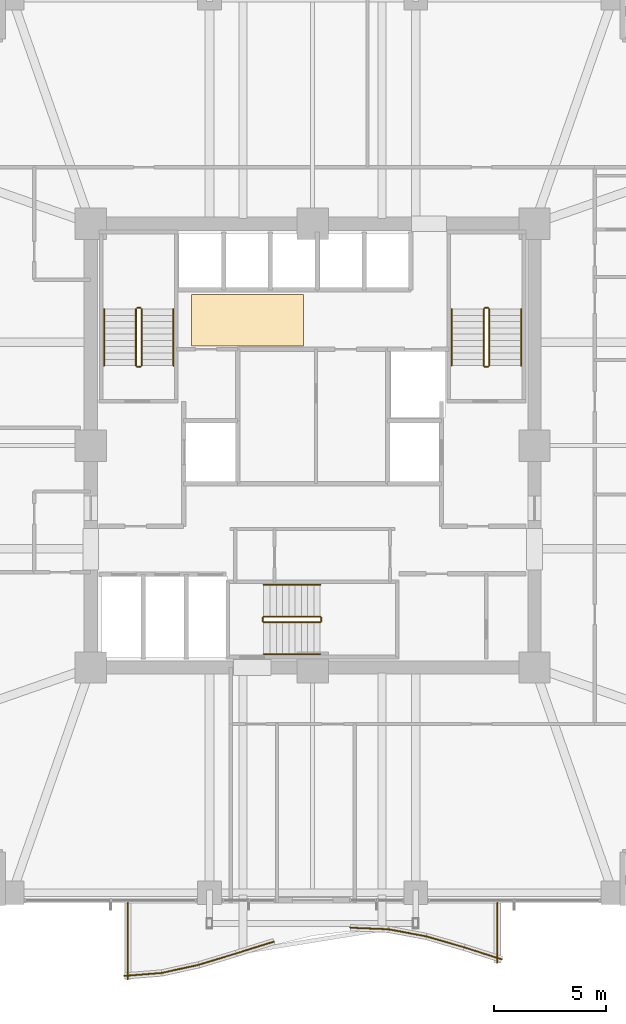
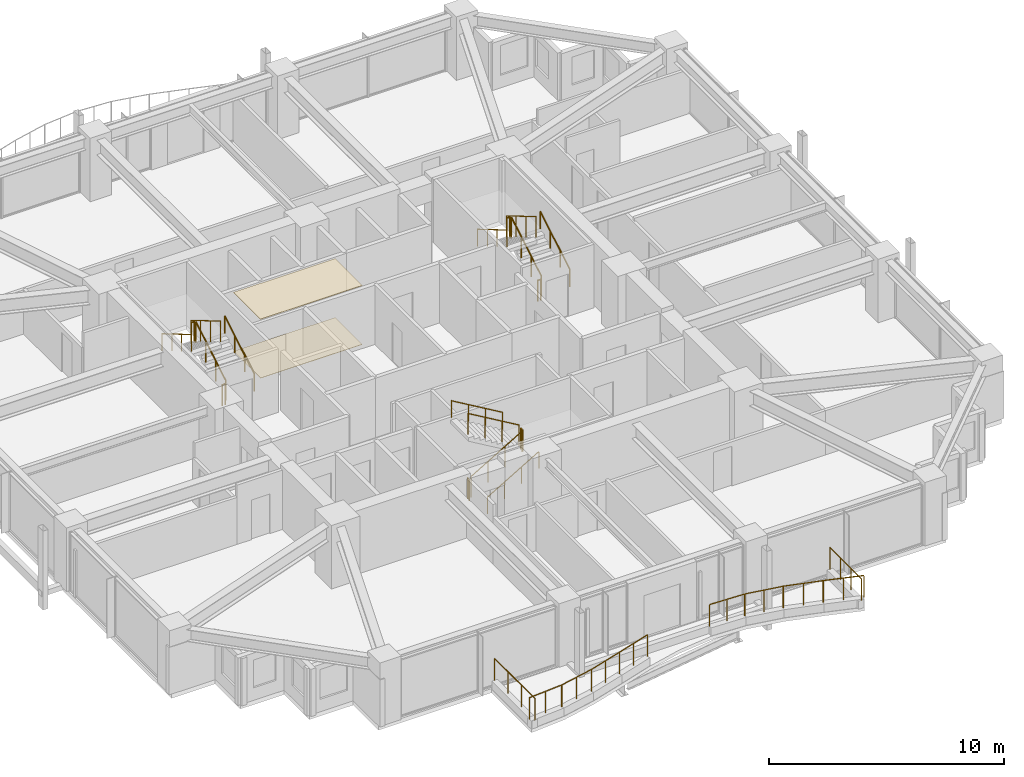
# One storey, part 37 of 38: 28 railings, 2 coverings.
"""IFC4 building model written with IfcOpenShell, lengths in metres."""

from ifc_helpers import new_model, si_unit, direction, frame, origin, origin_2d, place, context, subcontext, project, spatial, polyline, circle, outline, extrude, material, layer, layer_set, type_object, element, save


model = new_model("IFC4")

# Units and contexts
model_context = context("Model", 3, precision=1e-05, world=origin(), true_north=direction((0.0, 1.0)))
body_context = subcontext(model_context, "Body", "Model", "MODEL_VIEW")
ifc_project = project(units=[si_unit("LENGTHUNIT", "METRE"), si_unit("AREAUNIT", "SQUARE_METRE"), si_unit("VOLUMEUNIT", "CUBIC_METRE"), si_unit("PLANEANGLEUNIT", "RADIAN"), si_unit("MASSUNIT", "GRAM", prefix="KILO")], contexts=[model_context])

# Site, building, storey
site_placement = place(None, origin())
site = spatial("IfcSite", under=ifc_project, at=site_placement, CompositionType="ELEMENT")
building_placement = place(site_placement, origin())
building = spatial("IfcBuilding", under=site, at=building_placement, Name="Kolvaren Belvedere", CompositionType="ELEMENT")
storey_placement = place(building_placement, frame((0.0, 0.0, 72.199951171875)))
storey = spatial("IfcBuildingStorey", under=building, at=storey_placement, Name="L20", CompositionType="ELEMENT", Elevation=72.199951171875)

# Coverings
ifc_material_1 = material(Name="Acoustic perforated gypsum board", Category="gypsum")
ifc_layer_1 = layer(ifc_material_1, 0.02490234375)
ifc_layer_set_1 = layer_set([ifc_layer_1], Name="Acoustic perforated gypsum board")
covering_type_1 = type_object("IfcCoveringType", Name="COV-CEIL-GYP", PredefinedType="CEILING", material=ifc_layer_set_1)
covering_1_placement = place(storey_placement, frame((0.0, 0.0, 3.054931640625)))
element("IfcCovering", 1, at=covering_1_placement, inside=storey, type_object=covering_type_1, Name="L20 Lift Lobby Acoustic Baffle Ceiling", PredefinedType="CEILING", context=body_context, shape_type="SweptSolid", body=[
    extrude(outline(polyline([(-5.39990234375, 4.449951171875), (-0.39990234375, 4.449951171875), (-0.39990234375, 6.75), (-5.39990234375, 6.75), (-5.39990234375, 4.449951171875)])), origin(), (0.0, 0.0, 1.0), 0.025146484375),
])
ifc_material_2 = material(Name="Engineered Pacific white oak", Category="timber")
ifc_layer_2 = layer(ifc_material_2, 0.02001953125)
ifc_layer_set_2 = layer_set([ifc_layer_2], Name="Engineered Pacific white oak")
covering_type_2 = type_object("IfcCoveringType", Name="COV-FLR-OAK", PredefinedType="FLOORING", material=ifc_layer_set_2)
covering_2_placement = place(storey_placement, origin())
element("IfcCovering", 2, at=covering_2_placement, inside=storey, type_object=covering_type_2, Name="L20 Lift Lobby Finish Flooring", PredefinedType="FLOORING", context=body_context, shape_type="SweptSolid", body=[
    extrude(outline(polyline([(-5.39990234375, 4.449951171875), (-0.39990234375, 4.449951171875), (-0.39990234375, 6.75), (-5.39990234375, 6.75), (-5.39990234375, 4.449951171875)])), origin(), (0.0, 0.0, 1.0), 0.02001953125),
])

# Railings
ifc_material_3 = material(Name="Anodised pale-metal aluminium & laminated glass guard", Category="aluminium")
railing_type_1 = type_object("IfcRailingType", Name="RL-GUARD-1150", PredefinedType="GUARDRAIL", material=ifc_material_3)
railing_1_placement = place(storey_placement, frame((-8.41259765625, -23.660400390625, 0.380126953125)))
element("IfcRailing", 3, at=railing_1_placement, inside=storey, type_object=railing_type_1, Name="L20 Exterior Deck Safety Guard BAL-S-1", PredefinedType="GUARDRAIL", context=body_context, shape_type="SweptSolid", body=[
    extrude(circle(Radius=0.02392578125, at=origin_2d()), frame((0.0, 0.0, 1.1259765625), z_axis=(0.99685522818, 0.079244268248, 0.0), x_axis=(-0.079244268248, 0.99685522818, 0.0)), (0.0, 0.0, 1.0), 1.685302734375),
    extrude(circle(Radius=0.02099609375, at=origin_2d()), origin(), (0.0, 0.0, 1.0), 1.101806640625),
    extrude(circle(Radius=0.02099609375, at=origin_2d()), frame((0.83984375, 0.06689453125, 0.0)), (0.0, 0.0, 1.0), 1.101806640625),
    extrude(circle(Radius=0.02099609375, at=origin_2d()), frame((1.679931640625, 0.133544921875, 0.0)), (0.0, 0.0, 1.0), 1.101806640625),
])
railing_2_placement = place(storey_placement, frame((-6.754150390625, -23.530029296875, 0.380126953125)))
element("IfcRailing", 4, at=railing_2_placement, inside=storey, type_object=railing_type_1, Name="L20 Exterior Deck Safety Guard BAL-S-2", PredefinedType="GUARDRAIL", context=body_context, shape_type="SweptSolid", body=[
    extrude(circle(Radius=0.02392578125, at=origin_2d()), frame((0.0, 0.0, 1.1259765625), z_axis=(0.976876857632, 0.213802724545, 0.0), x_axis=(-0.213802724545, 0.976876857632, 0.0)), (0.0, 0.0, 1.0), 1.7197265625),
    extrude(circle(Radius=0.02099609375, at=origin_2d()), origin(), (0.0, 0.0, 1.0), 1.101806640625),
    extrude(circle(Radius=0.02099609375, at=origin_2d()), frame((0.83984375, 0.183837890625, 0.0)), (0.0, 0.0, 1.0), 1.101806640625),
    extrude(circle(Radius=0.02099609375, at=origin_2d()), frame((1.679931640625, 0.36767578125, 0.0)), (0.0, 0.0, 1.0), 1.101806640625),
])
railing_3_placement = place(storey_placement, frame((-5.086669921875, -23.16552734375, 0.380126953125)))
element("IfcRailing", 5, at=railing_3_placement, inside=storey, type_object=railing_type_1, Name="L20 Exterior Deck Safety Guard BAL-S-3", PredefinedType="GUARDRAIL", context=body_context, shape_type="SweptSolid", body=[
    extrude(circle(Radius=0.02392578125, at=origin_2d()), frame((0.0, 0.0, 1.1259765625), z_axis=(0.956771481005, 0.290840734999, 0.0), x_axis=(-0.290840734999, 0.956771481005, 0.0)), (0.0, 0.0, 1.0), 1.756103515625),
    extrude(circle(Radius=0.02099609375, at=origin_2d()), origin(), (0.0, 0.0, 1.0), 1.101806640625),
    extrude(circle(Radius=0.02099609375, at=origin_2d()), frame((0.840087890625, 0.25537109375, 0.0)), (0.0, 0.0, 1.0), 1.101806640625),
    extrude(circle(Radius=0.02099609375, at=origin_2d()), frame((1.68017578125, 0.5107421875, 0.0)), (0.0, 0.0, 1.0), 1.101806640625),
])
railing_4_placement = place(storey_placement, frame((-3.407958984375, -22.6552734375, 0.380126953125)))
element("IfcRailing", 6, at=railing_4_placement, inside=storey, type_object=railing_type_1, Name="L20 Exterior Deck Safety Guard BAL-S-4", PredefinedType="GUARDRAIL", context=body_context, shape_type="SweptSolid", body=[
    extrude(circle(Radius=0.02392578125, at=origin_2d()), frame((0.0, 0.0, 1.1259765625), z_axis=(0.954069594374, 0.299585061529, 0.0), x_axis=(-0.299585061529, 0.954069594374, 0.0)), (0.0, 0.0, 1.0), 1.760986328125),
    extrude(circle(Radius=0.02099609375, at=origin_2d()), origin(), (0.0, 0.0, 1.0), 1.101806640625),
    extrude(circle(Radius=0.02099609375, at=origin_2d()), frame((0.840087890625, 0.263671875, 0.0)), (0.0, 0.0, 1.0), 1.101806640625),
    extrude(circle(Radius=0.02099609375, at=origin_2d()), frame((1.68017578125, 0.527587890625, 0.0)), (0.0, 0.0, 1.0), 1.101806640625),
])
railing_5_placement = place(storey_placement, frame((1.686279296875, -21.508544921875, 0.380126953125)))
element("IfcRailing", 7, at=railing_5_placement, inside=storey, type_object=railing_type_1, Name="L20 Exterior Deck Safety Guard BAL-S-7", PredefinedType="GUARDRAIL", context=body_context, shape_type="SweptSolid", body=[
    extrude(circle(Radius=0.02392578125, at=origin_2d()), frame((0.0, 0.0, 1.1259765625), z_axis=(0.999196778482, -0.040072407855, 0.0), x_axis=(0.040072407855, 0.999196778482, 0.0)), (0.0, 0.0, 1.0), 1.681640625),
    extrude(circle(Radius=0.02099609375, at=origin_2d()), origin(), (0.0, 0.0, 1.0), 1.101806640625),
    extrude(circle(Radius=0.02099609375, at=origin_2d()), frame((0.840087890625, -0.03369140625, 0.0)), (0.0, 0.0, 1.0), 1.101806640625),
    extrude(circle(Radius=0.02099609375, at=origin_2d()), frame((1.68017578125, -0.0673828125, 0.0)), (0.0, 0.0, 1.0), 1.101806640625),
])
railing_6_placement = place(storey_placement, frame((3.3896484375, -21.57861328125, 0.380126953125)))
element("IfcRailing", 8, at=railing_6_placement, inside=storey, type_object=railing_type_1, Name="L20 Exterior Deck Safety Guard BAL-S-8", PredefinedType="GUARDRAIL", context=body_context, shape_type="SweptSolid", body=[
    extrude(circle(Radius=0.02392578125, at=origin_2d()), frame((0.0, 0.0, 1.1259765625), z_axis=(0.982799348901, -0.18467658162, 0.0), x_axis=(0.18467658162, 0.982799348901, 0.0)), (0.0, 0.0, 1.0), 1.709228515625),
    extrude(circle(Radius=0.02099609375, at=origin_2d()), origin(), (0.0, 0.0, 1.0), 1.101806640625),
    extrude(circle(Radius=0.02099609375, at=origin_2d()), frame((0.83984375, -0.15771484375, 0.0)), (0.0, 0.0, 1.0), 1.101806640625),
    extrude(circle(Radius=0.02099609375, at=origin_2d()), frame((1.679931640625, -0.315673828125, 0.0)), (0.0, 0.0, 1.0), 1.101806640625),
])
railing_7_placement = place(storey_placement, frame((5.08447265625, -21.89794921875, 0.380126953125)))
element("IfcRailing", 9, at=railing_7_placement, inside=storey, type_object=railing_type_1, Name="L20 Exterior Deck Safety Guard BAL-S-9", PredefinedType="GUARDRAIL", context=body_context, shape_type="SweptSolid", body=[
    extrude(circle(Radius=0.02392578125, at=origin_2d()), frame((0.0, 0.0, 1.1259765625), z_axis=(0.960633903819, -0.277817391164, 0.0), x_axis=(0.277817391164, 0.960633903819, 0.0)), (0.0, 0.0, 1.0), 1.748779296875),
    extrude(circle(Radius=0.02099609375, at=origin_2d()), origin(), (0.0, 0.0, 1.0), 1.101806640625),
    extrude(circle(Radius=0.02099609375, at=origin_2d()), frame((0.83984375, -0.242919921875, 0.0)), (0.0, 0.0, 1.0), 1.101806640625),
    extrude(circle(Radius=0.02099609375, at=origin_2d()), frame((1.679931640625, -0.48583984375, 0.0)), (0.0, 0.0, 1.0), 1.101806640625),
])
railing_8_placement = place(storey_placement, frame((6.7685546875, -22.38525390625, 0.380126953125)))
element("IfcRailing", 10, at=railing_8_placement, inside=storey, type_object=railing_type_1, Name="L20 Exterior Deck Safety Guard BAL-S-10", PredefinedType="GUARDRAIL", context=body_context, shape_type="SweptSolid", body=[
    extrude(circle(Radius=0.02392578125, at=origin_2d()), frame((0.0, 0.0, 1.1259765625), z_axis=(0.952661770826, -0.304032153573, 0.0), x_axis=(0.304032153573, 0.952661770826, 0.0)), (0.0, 0.0, 1.0), 1.763427734375),
    extrude(circle(Radius=0.02099609375, at=origin_2d()), origin(), (0.0, 0.0, 1.0), 1.101806640625),
    extrude(circle(Radius=0.02099609375, at=origin_2d()), frame((0.83984375, -0.26806640625, 0.0)), (0.0, 0.0, 1.0), 1.101806640625),
    extrude(circle(Radius=0.02099609375, at=origin_2d()), frame((1.679931640625, -0.5361328125, 0.0)), (0.0, 0.0, 1.0), 1.101806640625),
])
railing_9_placement = place(storey_placement, frame((8.239990234375, -23.07373046875, 0.380126953125)))
element("IfcRailing", 11, at=railing_9_placement, inside=storey, type_object=railing_type_1, Name="L20 Exterior Deck Safety Guard BAL-S-11", PredefinedType="GUARDRAIL", context=body_context, shape_type="SweptSolid", body=[
    extrude(circle(Radius=0.02392578125, at=origin_2d()), frame((0.0, 0.0, 1.1259765625), z_axis=(0.0, 1.0, 0.0), x_axis=(-1.0, 0.0, 0.0)), (0.0, 0.0, 1.0), 2.673828125),
    extrude(circle(Radius=0.02099609375, at=origin_2d()), origin(), (0.0, 0.0, 1.0), 1.101806640625),
    extrude(circle(Radius=0.02099609375, at=origin_2d()), frame((0.0, 0.891357421875, 0.0)), (0.0, 0.0, 1.0), 1.101806640625),
    extrude(circle(Radius=0.02099609375, at=origin_2d()), frame((0.0, 1.782470703125, 0.0)), (0.0, 0.0, 1.0), 1.101806640625),
    extrude(circle(Radius=0.02099609375, at=origin_2d()), frame((0.0, 2.673828125, 0.0)), (0.0, 0.0, 1.0), 1.101806640625),
])
railing_10_placement = place(storey_placement, frame((-8.239990234375, -20.39990234375, 0.380126953125)))
element("IfcRailing", 12, at=railing_10_placement, inside=storey, type_object=railing_type_1, Name="L20 Exterior Deck Safety Guard BAL-S-22", PredefinedType="GUARDRAIL", context=body_context, shape_type="SweptSolid", body=[
    extrude(circle(Radius=0.02392578125, at=origin_2d()), frame((0.0, 0.0, 1.1259765625), z_axis=(0.0, -1.0, 0.0), x_axis=(1.0, 0.0, 0.0)), (0.0, 0.0, 1.0), 3.420166015625),
    extrude(circle(Radius=0.02099609375, at=origin_2d()), origin(), (0.0, 0.0, 1.0), 1.101806640625),
    extrude(circle(Radius=0.02099609375, at=origin_2d()), frame((0.0, -1.14013671875, 0.0)), (0.0, 0.0, 1.0), 1.101806640625),
    extrude(circle(Radius=0.02099609375, at=origin_2d()), frame((0.0, -2.280029296875, 0.0)), (0.0, 0.0, 1.0), 1.101806640625),
    extrude(circle(Radius=0.02099609375, at=origin_2d()), frame((0.0, -3.420166015625, 0.0)), (0.0, 0.0, 1.0), 1.101806640625),
])
ifc_material_4 = material(Name="Brushed stainless-steel handrail", Category="steel")
railing_type_2 = type_object("IfcRailingType", Name="RL-HANDRAIL-920", PredefinedType="HANDRAIL", material=ifc_material_4)
railing_11_placement = place(storey_placement, frame((-6.2099609375, 3.570068359375, 0.1650390625)))
element("IfcRailing", 13, at=railing_11_placement, inside=storey, type_object=railing_type_2, Name="L20 ST-1 stair handrail 1", PredefinedType="HANDRAIL", context=body_context, shape_type="SweptSolid", body=[
    extrude(circle(Radius=0.02392578125, at=origin_2d()), frame((0.0, 0.0, 0.8759765625), z_axis=(0.0, 0.86152411907, 0.507716645641), x_axis=(-1.0, 0.0, 0.0)), (0.0, 0.0, 1.0), 2.925048828125),
    extrude(circle(Radius=0.02099609375, at=origin_2d()), origin(), (0.0, 0.0, 1.0), 0.851806640625),
    extrude(circle(Radius=0.02099609375, at=origin_2d()), frame((0.0, 0.840087890625, 0.4951171875)), (0.0, 0.0, 1.0), 0.851806640625),
    extrude(circle(Radius=0.02099609375, at=origin_2d()), frame((0.0, 1.679931640625, 0.989990234375)), (0.0, 0.0, 1.0), 0.851806640625),
    extrude(circle(Radius=0.02099609375, at=origin_2d()), frame((0.0, 2.52001953125, 1.485107421875)), (0.0, 0.0, 1.0), 0.851806640625),
])
railing_12_placement = place(storey_placement, frame((-9.300048828125, 6.090087890625, 1.81494140625)))
element("IfcRailing", 14, at=railing_12_placement, inside=storey, type_object=railing_type_2, Name="L20 ST-1 stair handrail 2", PredefinedType="HANDRAIL", context=body_context, shape_type="SweptSolid", body=[
    extrude(circle(Radius=0.02392578125, at=origin_2d()), frame((0.0, 0.0, 0.8759765625), z_axis=(0.0, -0.86152411907, 0.507716645641), x_axis=(1.0, 0.0, 0.0)), (0.0, 0.0, 1.0), 2.925048828125),
    extrude(circle(Radius=0.02099609375, at=origin_2d()), origin(), (0.0, 0.0, 1.0), 0.851806640625),
    extrude(circle(Radius=0.02099609375, at=origin_2d()), frame((0.0, -0.840087890625, 0.4951171875)), (0.0, 0.0, 1.0), 0.851806640625),
    extrude(circle(Radius=0.02099609375, at=origin_2d()), frame((0.0, -1.679931640625, 0.989990234375)), (0.0, 0.0, 1.0), 0.851806640625),
    extrude(circle(Radius=0.02099609375, at=origin_2d()), frame((0.0, -2.52001953125, 1.485107421875)), (0.0, 0.0, 1.0), 0.851806640625),
])
railing_13_placement = place(storey_placement, frame((9.300048828125, 3.570068359375, 0.1650390625)))
element("IfcRailing", 15, at=railing_13_placement, inside=storey, type_object=railing_type_2, Name="L20 ST-2 stair handrail 1", PredefinedType="HANDRAIL", context=body_context, shape_type="SweptSolid", body=[
    extrude(circle(Radius=0.02392578125, at=origin_2d()), frame((0.0, 0.0, 0.8759765625), z_axis=(0.0, 0.86152411907, 0.507716645641), x_axis=(-1.0, 0.0, 0.0)), (0.0, 0.0, 1.0), 2.925048828125),
    extrude(circle(Radius=0.02099609375, at=origin_2d()), origin(), (0.0, 0.0, 1.0), 0.851806640625),
    extrude(circle(Radius=0.02099609375, at=origin_2d()), frame((0.0, 0.840087890625, 0.4951171875)), (0.0, 0.0, 1.0), 0.851806640625),
    extrude(circle(Radius=0.02099609375, at=origin_2d()), frame((0.0, 1.679931640625, 0.989990234375)), (0.0, 0.0, 1.0), 0.851806640625),
    extrude(circle(Radius=0.02099609375, at=origin_2d()), frame((0.0, 2.52001953125, 1.485107421875)), (0.0, 0.0, 1.0), 0.851806640625),
])
railing_14_placement = place(storey_placement, frame((6.2099609375, 6.090087890625, 1.81494140625)))
element("IfcRailing", 16, at=railing_14_placement, inside=storey, type_object=railing_type_2, Name="L20 ST-2 stair handrail 2", PredefinedType="HANDRAIL", context=body_context, shape_type="SweptSolid", body=[
    extrude(circle(Radius=0.02392578125, at=origin_2d()), frame((0.0, 0.0, 0.8759765625), z_axis=(0.0, -0.86152411907, 0.507716645641), x_axis=(1.0, 0.0, 0.0)), (0.0, 0.0, 1.0), 2.925048828125),
    extrude(circle(Radius=0.02099609375, at=origin_2d()), origin(), (0.0, 0.0, 1.0), 0.851806640625),
    extrude(circle(Radius=0.02099609375, at=origin_2d()), frame((0.0, -0.840087890625, 0.4951171875)), (0.0, 0.0, 1.0), 0.851806640625),
    extrude(circle(Radius=0.02099609375, at=origin_2d()), frame((0.0, -1.679931640625, 0.989990234375)), (0.0, 0.0, 1.0), 0.851806640625),
    extrude(circle(Radius=0.02099609375, at=origin_2d()), frame((0.0, -2.52001953125, 1.485107421875)), (0.0, 0.0, 1.0), 0.851806640625),
])
railing_15_placement = place(storey_placement, frame((-2.179931640625, -9.300048828125, 0.1650390625)))
element("IfcRailing", 17, at=railing_15_placement, inside=storey, type_object=railing_type_2, Name="L20 ST-3 stair handrail 1", PredefinedType="HANDRAIL", context=body_context, shape_type="SweptSolid", body=[
    extrude(circle(Radius=0.02392578125, at=origin_2d()), frame((0.0, 0.0, 0.8759765625), z_axis=(0.86152411907, 0.0, 0.507716645641), x_axis=(0.0, 1.0, 0.0)), (0.0, 0.0, 1.0), 2.925048828125),
    extrude(circle(Radius=0.02099609375, at=origin_2d()), origin(), (0.0, 0.0, 1.0), 0.851806640625),
    extrude(circle(Radius=0.02099609375, at=origin_2d()), frame((0.840087890625, 0.0, 0.4951171875)), (0.0, 0.0, 1.0), 0.851806640625),
    extrude(circle(Radius=0.02099609375, at=origin_2d()), frame((1.679931640625, 0.0, 0.989990234375)), (0.0, 0.0, 1.0), 0.851806640625),
    extrude(circle(Radius=0.02099609375, at=origin_2d()), frame((2.52001953125, 0.0, 1.485107421875)), (0.0, 0.0, 1.0), 0.851806640625),
])
railing_16_placement = place(storey_placement, frame((0.340087890625, -6.2099609375, 1.81494140625)))
element("IfcRailing", 18, at=railing_16_placement, inside=storey, type_object=railing_type_2, Name="L20 ST-3 stair handrail 2", PredefinedType="HANDRAIL", context=body_context, shape_type="SweptSolid", body=[
    extrude(circle(Radius=0.02392578125, at=origin_2d()), frame((0.0, 0.0, 0.8759765625), z_axis=(-0.86152411907, 0.0, 0.507716645641), x_axis=(0.0, -1.0, 0.0)), (0.0, 0.0, 1.0), 2.925048828125),
    extrude(circle(Radius=0.02099609375, at=origin_2d()), origin(), (0.0, 0.0, 1.0), 0.851806640625),
    extrude(circle(Radius=0.02099609375, at=origin_2d()), frame((-0.840087890625, 0.0, 0.4951171875)), (0.0, 0.0, 1.0), 0.851806640625),
    extrude(circle(Radius=0.02099609375, at=origin_2d()), frame((-1.679931640625, 0.0, 0.989990234375)), (0.0, 0.0, 1.0), 0.851806640625),
    extrude(circle(Radius=0.02099609375, at=origin_2d()), frame((-2.52001953125, 0.0, 1.485107421875)), (0.0, 0.0, 1.0), 0.851806640625),
])
ifc_material_5 = material(Name="Painted tubular steel stair guard", Category="steel")
railing_type_3 = type_object("IfcRailingType", Name="RL-STGUARD-1100", PredefinedType="GUARDRAIL", material=ifc_material_5)
railing_17_placement = place(storey_placement, frame((-7.6298828125, 3.570068359375, 0.1650390625)))
element("IfcRailing", 19, at=railing_17_placement, inside=storey, type_object=railing_type_3, Name="L20 ST-1 stair guard 1", PredefinedType="GUARDRAIL", context=body_context, shape_type="SweptSolid", body=[
    extrude(circle(Radius=0.02392578125, at=origin_2d()), frame((0.0, 0.0, 1.076171875), z_axis=(0.0, 0.86152411907, 0.507716645641), x_axis=(-1.0, 0.0, 0.0)), (0.0, 0.0, 1.0), 2.925048828125),
    extrude(circle(Radius=0.02099609375, at=origin_2d()), origin(), (0.0, 0.0, 1.0), 1.052001953125),
    extrude(circle(Radius=0.02099609375, at=origin_2d()), frame((0.0, 0.840087890625, 0.4951171875)), (0.0, 0.0, 1.0), 1.052001953125),
    extrude(circle(Radius=0.02099609375, at=origin_2d()), frame((0.0, 1.679931640625, 0.989990234375)), (0.0, 0.0, 1.0), 1.052001953125),
    extrude(circle(Radius=0.02099609375, at=origin_2d()), frame((0.0, 2.52001953125, 1.485107421875)), (0.0, 0.0, 1.0), 1.052001953125),
])
railing_18_placement = place(storey_placement, frame((-7.679931640625, 6.139892578125, 1.650146484375)))
element("IfcRailing", 20, at=railing_18_placement, inside=storey, type_object=railing_type_3, Name="L20 ST-1 stair guard 2", PredefinedType="GUARDRAIL", context=body_context, shape_type="SweptSolid", body=[
    extrude(circle(Radius=0.02392578125, at=origin_2d()), frame((0.0, 0.0, 1.076171875), z_axis=(-1.0, 0.0, 0.0), x_axis=(0.0, -1.0, 0.0)), (0.0, 0.0, 1.0), 0.150146484375),
    extrude(circle(Radius=0.02099609375, at=origin_2d()), origin(), (0.0, 0.0, 1.0), 1.052001953125),
    extrude(circle(Radius=0.02099609375, at=origin_2d()), frame((-0.150146484375, 0.0, 0.0)), (0.0, 0.0, 1.0), 1.052001953125),
])
railing_19_placement = place(storey_placement, frame((-7.8798828125, 6.090087890625, 1.81494140625)))
element("IfcRailing", 21, at=railing_19_placement, inside=storey, type_object=railing_type_3, Name="L20 ST-1 stair guard 3", PredefinedType="GUARDRAIL", context=body_context, shape_type="SweptSolid", body=[
    extrude(circle(Radius=0.02392578125, at=origin_2d()), frame((0.0, 0.0, 1.076171875), z_axis=(0.0, -0.86152411907, 0.507716645641), x_axis=(1.0, 0.0, 0.0)), (0.0, 0.0, 1.0), 2.925048828125),
    extrude(circle(Radius=0.02099609375, at=origin_2d()), origin(), (0.0, 0.0, 1.0), 1.052001953125),
    extrude(circle(Radius=0.02099609375, at=origin_2d()), frame((0.0, -0.840087890625, 0.4951171875)), (0.0, 0.0, 1.0), 1.052001953125),
    extrude(circle(Radius=0.02099609375, at=origin_2d()), frame((0.0, -1.679931640625, 0.989990234375)), (0.0, 0.0, 1.0), 1.052001953125),
    extrude(circle(Radius=0.02099609375, at=origin_2d()), frame((0.0, -2.52001953125, 1.485107421875)), (0.0, 0.0, 1.0), 1.052001953125),
])
railing_20_placement = place(storey_placement, frame((-7.679931640625, 3.52001953125, 0.0)))
element("IfcRailing", 22, at=railing_20_placement, inside=storey, type_object=railing_type_3, Name="L20 ST-1 stair guard 4", PredefinedType="GUARDRAIL", context=body_context, shape_type="SweptSolid", body=[
    extrude(circle(Radius=0.02392578125, at=origin_2d()), frame((0.0, 0.0, 1.076171875), z_axis=(-1.0, 0.0, 0.0), x_axis=(0.0, -1.0, 0.0)), (0.0, 0.0, 1.0), 0.150146484375),
    extrude(circle(Radius=0.02099609375, at=origin_2d()), origin(), (0.0, 0.0, 1.0), 1.052001953125),
    extrude(circle(Radius=0.02099609375, at=origin_2d()), frame((-0.150146484375, 0.0, 0.0)), (0.0, 0.0, 1.0), 1.052001953125),
])
railing_21_placement = place(storey_placement, frame((7.8798828125, 3.570068359375, 0.1650390625)))
element("IfcRailing", 23, at=railing_21_placement, inside=storey, type_object=railing_type_3, Name="L20 ST-2 stair guard 1", PredefinedType="GUARDRAIL", context=body_context, shape_type="SweptSolid", body=[
    extrude(circle(Radius=0.02392578125, at=origin_2d()), frame((0.0, 0.0, 1.076171875), z_axis=(0.0, 0.86152411907, 0.507716645641), x_axis=(-1.0, 0.0, 0.0)), (0.0, 0.0, 1.0), 2.925048828125),
    extrude(circle(Radius=0.02099609375, at=origin_2d()), origin(), (0.0, 0.0, 1.0), 1.052001953125),
    extrude(circle(Radius=0.02099609375, at=origin_2d()), frame((0.0, 0.840087890625, 0.4951171875)), (0.0, 0.0, 1.0), 1.052001953125),
    extrude(circle(Radius=0.02099609375, at=origin_2d()), frame((0.0, 1.679931640625, 0.989990234375)), (0.0, 0.0, 1.0), 1.052001953125),
    extrude(circle(Radius=0.02099609375, at=origin_2d()), frame((0.0, 2.52001953125, 1.485107421875)), (0.0, 0.0, 1.0), 1.052001953125),
])
railing_22_placement = place(storey_placement, frame((7.830078125, 6.139892578125, 1.650146484375)))
element("IfcRailing", 24, at=railing_22_placement, inside=storey, type_object=railing_type_3, Name="L20 ST-2 stair guard 2", PredefinedType="GUARDRAIL", context=body_context, shape_type="SweptSolid", body=[
    extrude(circle(Radius=0.02392578125, at=origin_2d()), frame((0.0, 0.0, 1.076171875), z_axis=(-1.0, 0.0, 0.0), x_axis=(0.0, -1.0, 0.0)), (0.0, 0.0, 1.0), 0.150146484375),
    extrude(circle(Radius=0.02099609375, at=origin_2d()), origin(), (0.0, 0.0, 1.0), 1.052001953125),
    extrude(circle(Radius=0.02099609375, at=origin_2d()), frame((-0.150146484375, 0.0, 0.0)), (0.0, 0.0, 1.0), 1.052001953125),
])
railing_23_placement = place(storey_placement, frame((7.6298828125, 6.090087890625, 1.81494140625)))
element("IfcRailing", 25, at=railing_23_placement, inside=storey, type_object=railing_type_3, Name="L20 ST-2 stair guard 3", PredefinedType="GUARDRAIL", context=body_context, shape_type="SweptSolid", body=[
    extrude(circle(Radius=0.02392578125, at=origin_2d()), frame((0.0, 0.0, 1.076171875), z_axis=(0.0, -0.86152411907, 0.507716645641), x_axis=(1.0, 0.0, 0.0)), (0.0, 0.0, 1.0), 2.925048828125),
    extrude(circle(Radius=0.02099609375, at=origin_2d()), origin(), (0.0, 0.0, 1.0), 1.052001953125),
    extrude(circle(Radius=0.02099609375, at=origin_2d()), frame((0.0, -0.840087890625, 0.4951171875)), (0.0, 0.0, 1.0), 1.052001953125),
    extrude(circle(Radius=0.02099609375, at=origin_2d()), frame((0.0, -1.679931640625, 0.989990234375)), (0.0, 0.0, 1.0), 1.052001953125),
    extrude(circle(Radius=0.02099609375, at=origin_2d()), frame((0.0, -2.52001953125, 1.485107421875)), (0.0, 0.0, 1.0), 1.052001953125),
])
railing_24_placement = place(storey_placement, frame((7.830078125, 3.52001953125, 0.0)))
element("IfcRailing", 26, at=railing_24_placement, inside=storey, type_object=railing_type_3, Name="L20 ST-2 stair guard 4", PredefinedType="GUARDRAIL", context=body_context, shape_type="SweptSolid", body=[
    extrude(circle(Radius=0.02392578125, at=origin_2d()), frame((0.0, 0.0, 1.076171875), z_axis=(-1.0, 0.0, 0.0), x_axis=(0.0, -1.0, 0.0)), (0.0, 0.0, 1.0), 0.150146484375),
    extrude(circle(Radius=0.02099609375, at=origin_2d()), origin(), (0.0, 0.0, 1.0), 1.052001953125),
    extrude(circle(Radius=0.02099609375, at=origin_2d()), frame((-0.150146484375, 0.0, 0.0)), (0.0, 0.0, 1.0), 1.052001953125),
])
railing_25_placement = place(storey_placement, frame((-2.179931640625, -7.8798828125, 0.1650390625)))
element("IfcRailing", 27, at=railing_25_placement, inside=storey, type_object=railing_type_3, Name="L20 ST-3 stair guard 1", PredefinedType="GUARDRAIL", context=body_context, shape_type="SweptSolid", body=[
    extrude(circle(Radius=0.02392578125, at=origin_2d()), frame((0.0, 0.0, 1.076171875), z_axis=(0.86152411907, 0.0, 0.507716645641), x_axis=(0.0, 1.0, 0.0)), (0.0, 0.0, 1.0), 2.925048828125),
    extrude(circle(Radius=0.02099609375, at=origin_2d()), origin(), (0.0, 0.0, 1.0), 1.052001953125),
    extrude(circle(Radius=0.02099609375, at=origin_2d()), frame((0.840087890625, 0.0, 0.4951171875)), (0.0, 0.0, 1.0), 1.052001953125),
    extrude(circle(Radius=0.02099609375, at=origin_2d()), frame((1.679931640625, 0.0, 0.989990234375)), (0.0, 0.0, 1.0), 1.052001953125),
    extrude(circle(Radius=0.02099609375, at=origin_2d()), frame((2.52001953125, 0.0, 1.485107421875)), (0.0, 0.0, 1.0), 1.052001953125),
])
railing_26_placement = place(storey_placement, frame((0.389892578125, -7.830078125, 1.650146484375)))
element("IfcRailing", 28, at=railing_26_placement, inside=storey, type_object=railing_type_3, Name="L20 ST-3 stair guard 2", PredefinedType="GUARDRAIL", context=body_context, shape_type="SweptSolid", body=[
    extrude(circle(Radius=0.02392578125, at=origin_2d()), frame((0.0, 0.0, 1.076171875), z_axis=(0.0, 1.0, 0.0), x_axis=(-1.0, 0.0, 0.0)), (0.0, 0.0, 1.0), 0.150146484375),
    extrude(circle(Radius=0.02099609375, at=origin_2d()), origin(), (0.0, 0.0, 1.0), 1.052001953125),
    extrude(circle(Radius=0.02099609375, at=origin_2d()), frame((0.0, 0.150146484375, 0.0)), (0.0, 0.0, 1.0), 1.052001953125),
])
railing_27_placement = place(storey_placement, frame((0.340087890625, -7.6298828125, 1.81494140625)))
element("IfcRailing", 29, at=railing_27_placement, inside=storey, type_object=railing_type_3, Name="L20 ST-3 stair guard 3", PredefinedType="GUARDRAIL", context=body_context, shape_type="SweptSolid", body=[
    extrude(circle(Radius=0.02392578125, at=origin_2d()), frame((0.0, 0.0, 1.076171875), z_axis=(-0.86152411907, 0.0, 0.507716645641), x_axis=(0.0, -1.0, 0.0)), (0.0, 0.0, 1.0), 2.925048828125),
    extrude(circle(Radius=0.02099609375, at=origin_2d()), origin(), (0.0, 0.0, 1.0), 1.052001953125),
    extrude(circle(Radius=0.02099609375, at=origin_2d()), frame((-0.840087890625, 0.0, 0.4951171875)), (0.0, 0.0, 1.0), 1.052001953125),
    extrude(circle(Radius=0.02099609375, at=origin_2d()), frame((-1.679931640625, 0.0, 0.989990234375)), (0.0, 0.0, 1.0), 1.052001953125),
    extrude(circle(Radius=0.02099609375, at=origin_2d()), frame((-2.52001953125, 0.0, 1.485107421875)), (0.0, 0.0, 1.0), 1.052001953125),
])
railing_28_placement = place(storey_placement, frame((-2.22998046875, -7.830078125, 0.0)))
element("IfcRailing", 30, at=railing_28_placement, inside=storey, type_object=railing_type_3, Name="L20 ST-3 stair guard 4", PredefinedType="GUARDRAIL", context=body_context, shape_type="SweptSolid", body=[
    extrude(circle(Radius=0.02392578125, at=origin_2d()), frame((0.0, 0.0, 1.076171875), z_axis=(0.0, 1.0, 0.0), x_axis=(-1.0, 0.0, 0.0)), (0.0, 0.0, 1.0), 0.150146484375),
    extrude(circle(Radius=0.02099609375, at=origin_2d()), origin(), (0.0, 0.0, 1.0), 1.052001953125),
    extrude(circle(Radius=0.02099609375, at=origin_2d()), frame((0.0, 0.150146484375, 0.0)), (0.0, 0.0, 1.0), 1.052001953125),
])

save(model, "model.ifc")
